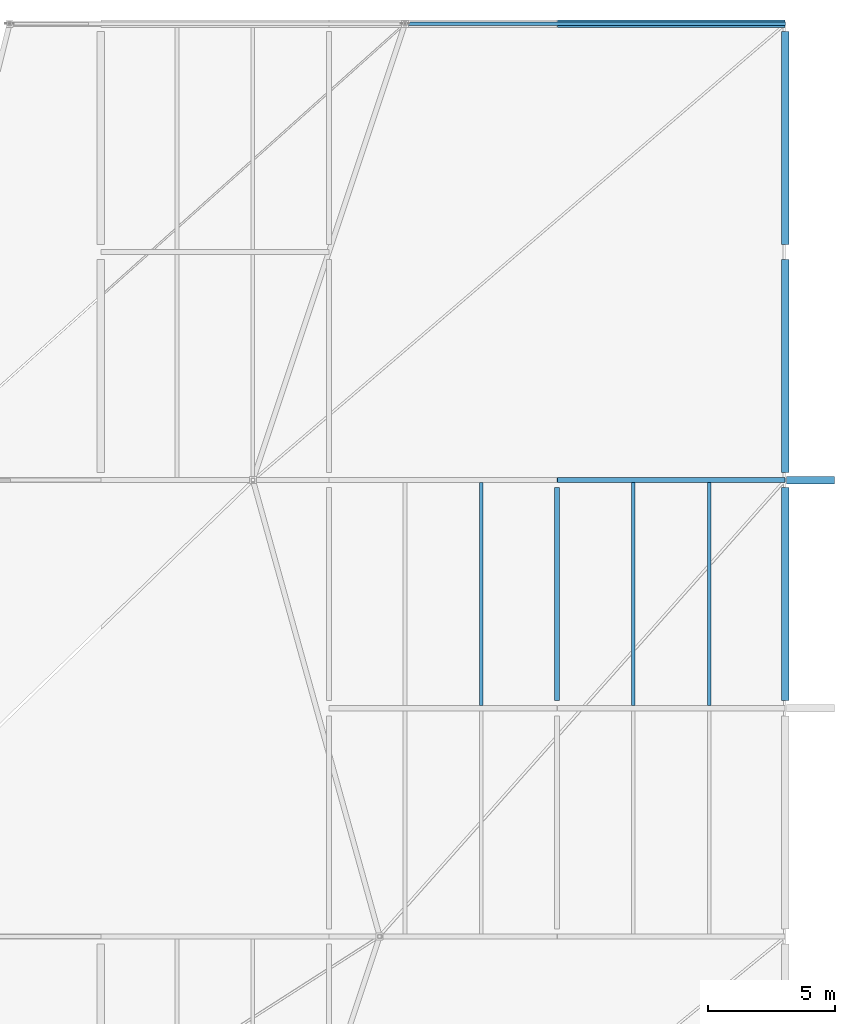
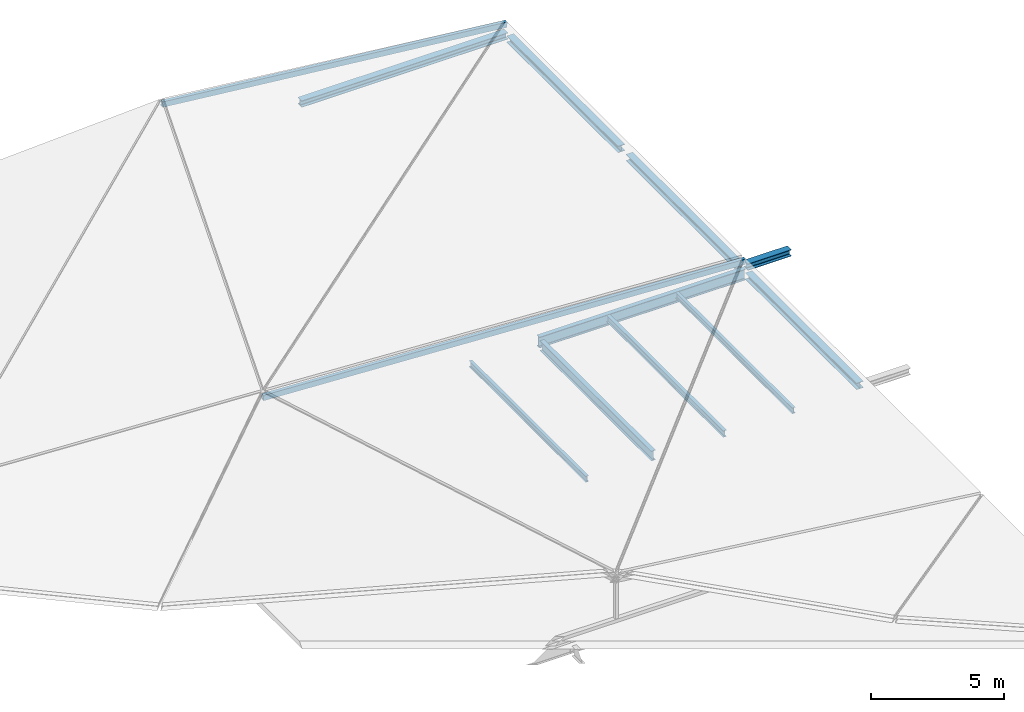
# One storey, part 11 of 18: 10 beams, 2 members.
"""IFC4 building model written with IfcOpenShell, lengths in metres."""

from ifc_helpers import new_model, si_unit, direction, frame, origin, origin_2d, place, context, subcontext, project, spatial, hollow_rectangle, i_section, extrude, material, material_profile, profile_set, type_object, element, save


model = new_model("IFC4")

# Units and contexts
model_context = context("Model", 3, precision=1e-05, world=origin(), true_north=direction((0.0, 1.0)))
body_context = subcontext(model_context, "Body", "Model", "MODEL_VIEW")
ifc_project = project(units=[si_unit("LENGTHUNIT", "METRE"), si_unit("AREAUNIT", "SQUARE_METRE"), si_unit("VOLUMEUNIT", "CUBIC_METRE"), si_unit("PLANEANGLEUNIT", "RADIAN"), si_unit("MASSUNIT", "GRAM", prefix="KILO")], contexts=[model_context])

# Site, building, storey
site_placement = place(None, origin())
site = spatial("IfcSite", under=ifc_project, at=site_placement, CompositionType="ELEMENT")
building_placement = place(site_placement, origin())
building = spatial("IfcBuilding", under=site, at=building_placement, Name="Deido Ridge Mobility Hub", CompositionType="ELEMENT")
storey_placement = place(building_placement, frame((0.0, 0.0, 29.39990234375)))
storey = spatial("IfcBuildingStorey", under=building, at=storey_placement, Name="RF", CompositionType="ELEMENT", Elevation=29.39990234375)

# Beams
ifc_material_1 = material(Name="Steel S355J2 EN 10025-2", Category="steel")
ifc_material_profile_1 = material_profile(ifc_material_1, i_section(OverallWidth=0.18994140625, OverallDepth=0.449951171875, WebThickness=0.009521484375, FlangeThickness=0.0146484375, FilletRadius=0.02099609375, at=origin_2d()), Name="IPE 450")
ifc_profile_set_1 = profile_set([ifc_material_profile_1], Name="Steel S355J2 EN 10025-2")
beam_type_1 = type_object("IfcBeamType", Name="BM-IPE450", PredefinedType="BEAM", material=ifc_profile_set_1)
beam_1_placement = place(storey_placement, frame((171.0, 27.300048828125, -0.46484375), z_axis=(0.0, 1.0, 0.0), x_axis=(-1.0, 0.0, 0.0)))
element("IfcBeam", 1, at=beam_1_placement, inside=storey, type_object=beam_type_1, Name="Floor beam B4", PredefinedType="BEAM", context=body_context, shape_type="SweptSolid", body=[
    extrude(i_section(OverallWidth=0.18994140625, OverallDepth=0.449951171875, WebThickness=0.009521484375, FlangeThickness=0.0146484375, FilletRadius=0.02099609375, at=origin_2d()), origin(), (0.0, 0.0, 1.0), 8.39990234375),
])
ifc_material_profile_2 = material_profile(ifc_material_1, i_section(OverallWidth=0.199951171875, OverallDepth=0.5, WebThickness=0.01025390625, FlangeThickness=0.01611328125, FilletRadius=0.02099609375, at=origin_2d()), Name="IPE 500")
ifc_profile_set_2 = profile_set([ifc_material_profile_2], Name="Steel S355J2 EN 10025-2")
beam_type_2 = type_object("IfcBeamType", Name="BM-IPE500", PredefinedType="BEAM", material=ifc_profile_set_2)
beam_2_placement = place(storey_placement, frame((171.0078125, 36.0, -0.489990234375), z_axis=(1.0, 0.0, 0.0), x_axis=(0.0, 1.0, 0.0)))
element("IfcBeam", 2, at=beam_2_placement, inside=storey, type_object=beam_type_2, Name="Floor beam B3", PredefinedType="BEAM", context=body_context, shape_type="SweptSolid", body=[
    extrude(i_section(OverallWidth=0.199951171875, OverallDepth=0.5, WebThickness=0.01025390625, FlangeThickness=0.01611328125, FilletRadius=0.02099609375, at=origin_2d()), origin(), (0.0, 0.0, 1.0), 8.984375),
])
ifc_material_profile_3 = material_profile(ifc_material_1, i_section(OverallWidth=0.135009765625, OverallDepth=0.27001953125, WebThickness=0.006591796875, FlangeThickness=0.01025390625, FilletRadius=0.014892578125, at=origin_2d()), Name="IPE 270")
ifc_profile_set_3 = profile_set([ifc_material_profile_3], Name="Steel S355J2 EN 10025-2")
beam_type_3 = type_object("IfcBeamType", Name="JST-IPE270", PredefinedType="JOIST", material=ifc_profile_set_3)
for number, where, z_axis, x_axis, name in (
    (3, (168.0, 27.10009765625, -0.375), (0.0, 1.0, 0.0), (-1.0, 0.0, 0.0), "Composite joist J4"),
    (4, (177.0, 27.10009765625, -0.375), (0.0, 1.0, 0.0), (-1.0, 0.0, 0.0), "Composite joist J4"),
):
    element("IfcBeam", number, at=place(storey_placement, frame(where, z_axis=z_axis, x_axis=x_axis)), inside=storey, type_object=beam_type_3, Name=name, PredefinedType="JOIST", context=body_context, shape_type="SweptSolid", body=[
        extrude(i_section(OverallWidth=0.135009765625, OverallDepth=0.27001953125, WebThickness=0.006591796875, FlangeThickness=0.01025390625, FilletRadius=0.014892578125, at=origin_2d()), origin(), (0.0, 0.0, 1.0), 8.7998046875),
    ])
ifc_material_profile_4 = material_profile(ifc_material_1, i_section(OverallWidth=0.14990234375, OverallDepth=0.300048828125, WebThickness=0.007080078125, FlangeThickness=0.0107421875, FilletRadius=0.014892578125, at=origin_2d()), Name="IPE 300")
ifc_profile_set_4 = profile_set([ifc_material_profile_4], Name="Steel S355J2 EN 10025-2")
beam_type_4 = type_object("IfcBeamType", Name="JST-IPE300", PredefinedType="JOIST", material=ifc_profile_set_4)
beam_3_placement = place(storey_placement, frame((174.0, 27.10009765625, -0.389892578125), z_axis=(0.0, 1.0, 0.0), x_axis=(-1.0, 0.0, 0.0)))
element("IfcBeam", 5, at=beam_3_placement, inside=storey, type_object=beam_type_4, Name="Composite joist J3", PredefinedType="JOIST", context=body_context, shape_type="SweptSolid", body=[
    extrude(i_section(OverallWidth=0.14990234375, OverallDepth=0.300048828125, WebThickness=0.007080078125, FlangeThickness=0.0107421875, FilletRadius=0.014892578125, at=origin_2d()), origin(), (0.0, 0.0, 1.0), 8.7998046875),
])

# Members
ifc_material_2 = material(Name="Steel S355J2H EN 10210-1", Category="steel")
ifc_material_profile_5 = material_profile(ifc_material_2, hollow_rectangle(XDim=0.14990234375, YDim=0.25, WallThickness=0.010009765625, at=origin_2d()), Name="RHS 250x150x10")
ifc_profile_set_5 = profile_set([ifc_material_profile_5], Name="Steel S355J2H EN 10210-1")
member_type = type_object("IfcMemberType", Name="MEM-RAF-RHS250", PredefinedType="RAFTER", material=ifc_profile_set_5)
member_1_placement = place(storey_placement, frame((159.0, 36.0, 1.150146484375), z_axis=(0.998704284248, 0.0, -0.05088961214), x_axis=(0.0, 1.0, 0.0)))
element("IfcMember", 6, at=member_1_placement, inside=storey, type_object=member_type, Name="Crystal roof folded rafter RF1", PredefinedType="RAFTER", context=body_context, shape_type="SweptSolid", body=[
    extrude(hollow_rectangle(XDim=0.14990234375, YDim=0.25, WallThickness=0.010009765625, at=origin_2d()), origin(), (0.0, 0.0, 1.0), 21.02734375),
])
member_2_placement = place(storey_placement, frame((165.0, 54.0, 1.650146484375), z_axis=(0.994566573627, 0.0, -0.10410250057), x_axis=(0.0, 1.0, 0.0)))
element("IfcMember", 7, at=member_2_placement, inside=storey, type_object=member_type, Name="Crystal roof folded rafter RF1", PredefinedType="RAFTER", context=body_context, shape_type="SweptSolid", body=[
    extrude(hollow_rectangle(XDim=0.14990234375, YDim=0.25, WallThickness=0.010009765625, at=origin_2d()), origin(), (0.0, 0.0, 1.0), 15.08203125),
])

# Beams
ifc_material_profile_6 = material_profile(ifc_material_1, i_section(OverallWidth=0.300048828125, OverallDepth=0.300048828125, WebThickness=0.010986328125, FlangeThickness=0.01904296875, FilletRadius=0.027099609375, at=origin_2d()), Name="HEB 300")
ifc_profile_set_6 = profile_set([ifc_material_profile_6], Name="Steel S355J2 EN 10025-2")
beam_type_5 = type_object("IfcBeamType", Name="SPD-HEB300", PredefinedType="SPANDREL", material=ifc_profile_set_6)
beam_4_placement = place(storey_placement, frame((171.0078125, 54.0, -0.389892578125), z_axis=(1.0, 0.0, 0.0), x_axis=(0.0, 1.0, 0.0)))
element("IfcBeam", 8, at=beam_4_placement, inside=storey, type_object=beam_type_5, Name="Floor beam SP1", PredefinedType="SPANDREL", context=body_context, shape_type="SweptSolid", body=[
    extrude(i_section(OverallWidth=0.300048828125, OverallDepth=0.300048828125, WebThickness=0.010986328125, FlangeThickness=0.01904296875, FilletRadius=0.027099609375, at=origin_2d()), origin(), (0.0, 0.0, 1.0), 8.984375),
])
for number, where, z_axis, x_axis, name in (
    (9, (180.0, 27.300048828125, -0.389892578125), (0.0, 1.0, 0.0), (-1.0, 0.0, 0.0), "Floor beam SP1"),
    (10, (180.0, 36.300048828125, -0.389892578125), (0.0, 1.0, 0.0), (-1.0, 0.0, 0.0), "Floor beam SP1"),
    (11, (180.0, 45.300048828125, -0.389892578125), (0.0, 1.0, 0.0), (-1.0, 0.0, 0.0), "Floor beam SP1"),
):
    element("IfcBeam", number, at=place(storey_placement, frame(where, z_axis=z_axis, x_axis=x_axis)), inside=storey, type_object=beam_type_5, Name=name, PredefinedType="SPANDREL", context=body_context, shape_type="SweptSolid", body=[
        extrude(i_section(OverallWidth=0.300048828125, OverallDepth=0.300048828125, WebThickness=0.010986328125, FlangeThickness=0.01904296875, FilletRadius=0.027099609375, at=origin_2d()), origin(), (0.0, 0.0, 1.0), 8.39990234375),
    ])
beam_5_placement = place(storey_placement, frame((180.050048828125, 36.0, -0.14990234375), z_axis=(1.0, 0.0, 0.0), x_axis=(0.0, 1.0, 0.0)))
element("IfcBeam", 12, at=beam_5_placement, inside=storey, type_object=beam_type_5, Name="Exoskeleton outrigger beam SP1", PredefinedType="SPANDREL", context=body_context, shape_type="SweptSolid", body=[
    extrude(i_section(OverallWidth=0.300048828125, OverallDepth=0.300048828125, WebThickness=0.010986328125, FlangeThickness=0.01904296875, FilletRadius=0.027099609375, at=origin_2d()), origin(), (0.0, 0.0, 1.0), 1.89990234375),
])

save(model, "model.ifc")
